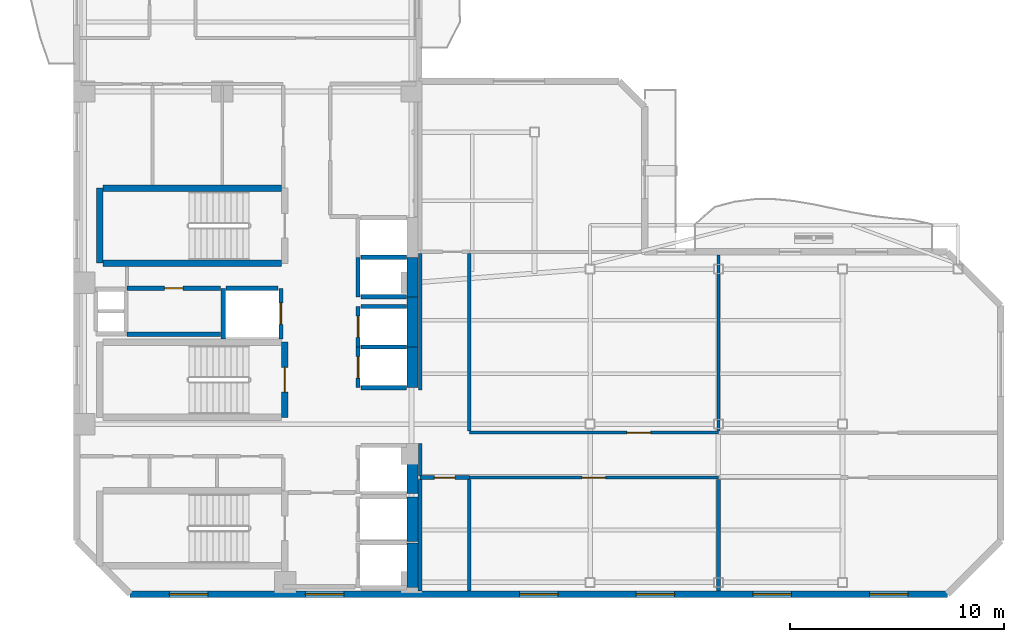
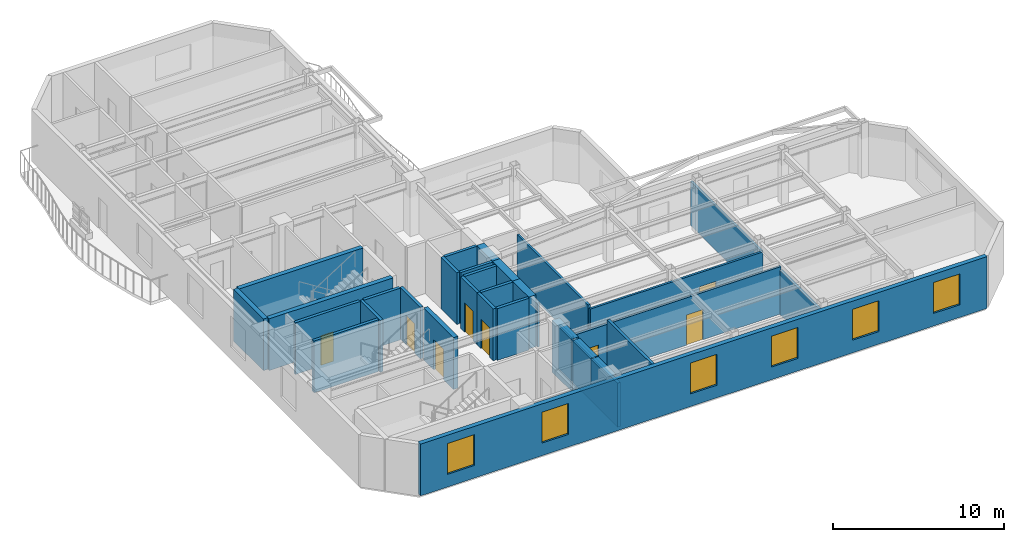
# One storey, part 3 of 8: 34 walls, 8 doors, 6 windows, 14 openings.
"""IFC4 building model written with IfcOpenShell, lengths in metres."""

from ifc_helpers import new_model, si_unit, direction, frame, frame_2d, origin, place, context, subcontext, project, spatial, rectangle, extrude, material, layer, layer_set, type_object, element, fill, save


model = new_model("IFC4")

# Units and contexts
model_context = context("Model", 3, precision=1e-05, world=origin(), true_north=direction((0.0, 1.0)))
body_context = subcontext(model_context, "Body", "Model", "MODEL_VIEW")
ifc_project = project(units=[si_unit("LENGTHUNIT", "METRE"), si_unit("AREAUNIT", "SQUARE_METRE"), si_unit("VOLUMEUNIT", "CUBIC_METRE"), si_unit("PLANEANGLEUNIT", "RADIAN"), si_unit("MASSUNIT", "GRAM", prefix="KILO")], contexts=[model_context])

# Site, building, storey
site_placement = place(None, origin())
site = spatial("IfcSite", under=ifc_project, at=site_placement, CompositionType="ELEMENT")
building_placement = place(site_placement, origin())
building = spatial("IfcBuilding", under=site, at=building_placement, Name="Mawjaban Terraces University", CompositionType="ELEMENT")
storey_placement = place(building_placement, frame((0.0, 0.0, 187.5)))
storey = spatial("IfcBuildingStorey", under=building, at=storey_placement, Name="L45", CompositionType="ELEMENT", Elevation=187.5)

# Wall, opening, door
ifc_material_1 = material(Name="Acoustic masonry blockwork", Category="masonry")
ifc_layer_1 = layer(ifc_material_1, 0.179931640625)
ifc_layer_set_1 = layer_set([ifc_layer_1], Name="Acoustic masonry blockwork")
wall_type_1 = type_object("IfcWallType", Name="AcousticStudioWall_180", PredefinedType="PARTITIONING", material=ifc_layer_set_1)
wall_1_placement = place(storey_placement, frame((38.050048828125, 5.449951171875, 0.0), z_axis=(0.0, 0.0, 1.0), x_axis=(1.0, 0.0, 0.0)))
wall_1 = element("IfcWall", 1, at=wall_1_placement, inside=storey, type_object=wall_type_1, Name="L45 South Spine Spur Link Partition 21", PredefinedType="PARTITIONING", context=body_context, shape_type="SweptSolid", body=[
    extrude(rectangle(XDim=2.300048828125, YDim=0.179931640625, at=frame_2d((1.14990234375, 0.0))), origin(), (0.0, 0.0, 1.0), 3.3720703125),
])
opening_1_placement = place(wall_1_placement, frame((0.675048828125, 0.0, 0.0)))
opening_1 = element("IfcOpeningElement", 2, at=opening_1_placement, cuts=wall_1, Name="Opening ID-095", PredefinedType="OPENING", context=body_context, shape_type="SweptSolid", body=[
    extrude(rectangle(XDim=0.949951171875, YDim=2.10009765625, at=frame_2d((0.47509765625, 1.050048828125))), frame((0.0, 0.099853515625, 0.0), z_axis=(0.0, -1.0, 0.0), x_axis=(1.0, 0.0, 0.0)), (0.0, 0.0, 1.0), 0.199951171875),
])
ifc_material_2 = material(Name="Powder-coated steel frame and solid acoustic timber leaf", Category="steel")
door_type_1 = type_object("IfcDoorType", Name="StudioDoor_950x2100", OperationType="NOTDEFINED", PredefinedType="DOOR", material=ifc_material_2)
door_1_placement = place(opening_1_placement, origin())
door_1 = element("IfcDoor", 3, at=door_1_placement, inside=storey, type_object=door_type_1, Name="L45 Design Studio 1 Door", OperationType="SINGLE_SWING_RIGHT", OverallHeight=2.10009765625, OverallWidth=0.949951171875, PredefinedType="DOOR", context=body_context, shape_type="SweptSolid", body=[
    extrude(rectangle(XDim=0.949951171875, YDim=2.10009765625, at=frame_2d((0.47509765625, 1.050048828125))), frame((0.0, 0.02490234375, 0.0), z_axis=(0.0, -1.0, 0.0), x_axis=(1.0, 0.0, 0.0)), (0.0, 0.0, 1.0), 0.050048828125),
])
fill(opening_1, door_1)

# Walls
wall_2_placement = place(storey_placement, frame((38.050048828125, 5.364990234375, 0.0), z_axis=(0.0, 0.0, 1.0), x_axis=(0.0, -1.0, 0.0)))
element("IfcWall", 4, at=wall_2_placement, inside=storey, type_object=wall_type_1, Name="L45 Design Studio 1 Partition 45", PredefinedType="PARTITIONING", context=body_context, shape_type="SweptSolid", body=[
    extrude(rectangle(XDim=5.219970703125, YDim=0.179931640625, at=frame_2d((2.60986328125, 0.0))), origin(), (0.0, 0.0, 1.0), 3.14599609375),
])
wall_3_placement = place(storey_placement, frame((40.35009765625, 0.14501953125, 0.0), z_axis=(0.0, 0.0, 1.0), x_axis=(0.0, 1.0, 0.0)))
element("IfcWall", 5, at=wall_3_placement, inside=storey, type_object=wall_type_1, Name="L45 Design Studio 1 Partition 49", PredefinedType="PARTITIONING", context=body_context, shape_type="SweptSolid", body=[
    extrude(rectangle(XDim=5.219970703125, YDim=0.179931640625, at=frame_2d((2.60986328125, 0.0))), origin(), (0.0, 0.0, 1.0), 3.68994140625),
])
wall_4_placement = place(storey_placement, frame((52.0, 0.14501953125, 0.0), z_axis=(0.0, 0.0, 1.0), x_axis=(0.0, 1.0, 0.0)))
element("IfcWall", 6, at=wall_4_placement, inside=storey, type_object=wall_type_1, Name="L45 Computational Laboratory 2 Partition 51", PredefinedType="PARTITIONING", context=body_context, shape_type="SweptSolid", body=[
    extrude(rectangle(XDim=5.219970703125, YDim=0.179931640625, at=frame_2d((2.60986328125, 0.0))), origin(), (0.0, 0.0, 1.0), 3.14599609375),
])
ifc_material_3 = material(Name="Concrete C60/75", Category="concrete")
ifc_layer_2 = layer(ifc_material_3, 0.5)
ifc_layer_set_2 = layer_set([ifc_layer_2], Name="Concrete C60/75")
wall_type_2 = type_object("IfcWallType", Name="CoreShearWall_500", PredefinedType="SHEAR", material=ifc_layer_set_2)
wall_5_placement = place(storey_placement, frame((37.699951171875, 0.300048828125, 0.0), z_axis=(0.0, 0.0, 1.0), x_axis=(0.0, 1.0, 0.0)))
element("IfcWall", 7, at=wall_5_placement, inside=storey, type_object=wall_type_2, Name="L45 Lift FL-1 Hoistway Wall East", PredefinedType="SHEAR", context=body_context, shape_type="SweptSolid", body=[
    extrude(rectangle(XDim=2.099853515625, YDim=0.5, at=frame_2d((1.0498046875, 0.0))), origin(), (0.0, 0.0, 1.0), 3.68994140625),
])
wall_6_placement = place(storey_placement, frame((37.699951171875, 2.449951171875, 0.0), z_axis=(0.0, 0.0, 1.0), x_axis=(0.0, 1.0, 0.0)))
element("IfcWall", 8, at=wall_6_placement, inside=storey, type_object=wall_type_2, Name="L45 Lift FL-2 Hoistway Wall East", PredefinedType="SHEAR", context=body_context, shape_type="SweptSolid", body=[
    extrude(rectangle(XDim=2.10009765625, YDim=0.5, at=frame_2d((1.050048828125, 0.0))), origin(), (0.0, 0.0, 1.0), 3.68994140625),
])
wall_7_placement = place(storey_placement, frame((37.699951171875, 4.699951171875, 0.0), z_axis=(0.0, 0.0, 1.0), x_axis=(0.0, 1.0, 0.0)))
element("IfcWall", 9, at=wall_7_placement, inside=storey, type_object=wall_type_2, Name="L45 Lift SL-1 Hoistway Wall East", PredefinedType="SHEAR", context=body_context, shape_type="SweptSolid", body=[
    extrude(rectangle(XDim=2.25, YDim=0.5, at=frame_2d((1.125, 0.0))), origin(), (0.0, 0.0, 1.0), 3.68994140625),
])
wall_8_placement = place(storey_placement, frame((37.699951171875, 9.64990234375, 0.0), z_axis=(0.0, 0.0, 1.0), x_axis=(0.0, 1.0, 0.0)))
element("IfcWall", 10, at=wall_8_placement, inside=storey, type_object=wall_type_2, Name="L45 Lift PL-H1 Hoistway Wall East", PredefinedType="SHEAR", context=body_context, shape_type="SweptSolid", body=[
    extrude(rectangle(XDim=1.900146484375, YDim=0.5, at=frame_2d((0.9501953125, 0.0))), origin(), (0.0, 0.0, 1.0), 3.68994140625),
])
wall_9_placement = place(storey_placement, frame((37.699951171875, 11.550048828125, 0.0), z_axis=(0.0, 0.0, 1.0), x_axis=(0.0, 1.0, 0.0)))
element("IfcWall", 11, at=wall_9_placement, inside=storey, type_object=wall_type_2, Name="L45 Lift PL-H2 Hoistway Wall East", PredefinedType="SHEAR", context=body_context, shape_type="SweptSolid", body=[
    extrude(rectangle(XDim=2.349853515625, YDim=0.5, at=frame_2d((1.1748046875, 0.0))), origin(), (0.0, 0.0, 1.0), 3.68994140625),
])
wall_10_placement = place(storey_placement, frame((37.699951171875, 13.89990234375, 0.0), z_axis=(0.0, 0.0, 1.0), x_axis=(0.0, 1.0, 0.0)))
element("IfcWall", 12, at=wall_10_placement, inside=storey, type_object=wall_type_2, Name="L45 Lift OL-1 Hoistway Wall East", PredefinedType="SHEAR", context=body_context, shape_type="SweptSolid", body=[
    extrude(rectangle(XDim=1.85009765625, YDim=0.5, at=frame_2d((0.925048828125, 0.0))), origin(), (0.0, 0.0, 1.0), 3.68994140625),
])
ifc_material_4 = material(Name="Fire-rated gypsum board on steel stud", Category="steel")
ifc_layer_3 = layer(ifc_material_4, 0.159912109375)
ifc_layer_set_3 = layer_set([ifc_layer_3], Name="Fire-rated gypsum board on steel stud")
wall_type_3 = type_object("IfcWallType", Name="CorridorPartition_160", PredefinedType="PARTITIONING", material=ifc_layer_set_3)
wall_11_placement = place(storey_placement, frame((38.050048828125, 7.050048828125, 0.0), z_axis=(0.0, 0.0, 1.0), x_axis=(0.0, -1.0, 0.0)))
element("IfcWall", 13, at=wall_11_placement, inside=storey, type_object=wall_type_3, Name="L45 South Spine Spur Link Partition 46", PredefinedType="PARTITIONING", context=body_context, shape_type="SweptSolid", body=[
    extrude(rectangle(XDim=1.51513671875, YDim=0.159912109375, at=frame_2d((0.757568359375, 0.0))), origin(), (0.0, 0.0, 1.0), 3.14599609375),
])
wall_12_placement = place(storey_placement, frame((38.050048828125, 15.925048828125, 0.0), z_axis=(0.0, 0.0, 1.0), x_axis=(0.0, -1.0, 0.0)))
element("IfcWall", 14, at=wall_12_placement, inside=storey, type_object=wall_type_3, Name="L45 South Spine Spur Link Partition 47", PredefinedType="PARTITIONING", context=body_context, shape_type="SweptSolid", body=[
    extrude(rectangle(XDim=6.375, YDim=0.159912109375, at=frame_2d((3.1875, 0.0))), origin(), (0.0, 0.0, 1.0), 3.14599609375),
])

# Wall, openings, windows
ifc_material_5 = material(Name="Insulated terracotta rainscreen on concrete backup C40/50", Category="masonry")
ifc_layer_4 = layer(ifc_material_5, 0.300048828125)
ifc_layer_set_4 = layer_set([ifc_layer_4], Name="Insulated terracotta rainscreen on concrete backup C40/50")
wall_type_4 = type_object("IfcWallType", Name="ExtTerracottaWall_300", PredefinedType="SOLIDWALL", material=ifc_layer_set_4)
wall_13_placement = place(storey_placement, frame((24.5, 0.0, 0.0), z_axis=(0.0, 0.0, 1.0), x_axis=(1.0, 0.0, 0.0)))
wall_13 = element("IfcWall", 15, at=wall_13_placement, inside=storey, type_object=wall_type_4, Name="L45 Exterior Terracotta Wall 1", PredefinedType="SOLIDWALL", context=body_context, shape_type="SweptSolid", body=[
    extrude(rectangle(XDim=38.199951171875, YDim=0.300048828125, at=frame_2d((19.10009765625, 0.0))), origin(), (0.0, 0.0, 1.0), 3.68994140625),
])
opening_2_placement = place(wall_13_placement, frame((1.8291015625, 0.0, 0.89990234375)))
opening_2 = element("IfcOpeningElement", 16, at=opening_2_placement, cuts=wall_13, Name="Opening W-10", PredefinedType="OPENING", context=body_context, shape_type="SweptSolid", body=[
    extrude(rectangle(XDim=1.800048828125, YDim=2.199951171875, at=frame_2d((0.89990234375, 1.10009765625))), frame((0.0, 0.159912109375, 0.0), z_axis=(0.0, -1.0, 0.0), x_axis=(1.0, 0.0, 0.0)), (0.0, 0.0, 1.0), 0.320068359375),
])
opening_3_placement = place(wall_13_placement, frame((8.18603515625, 0.0, 0.89990234375)))
opening_3 = element("IfcOpeningElement", 17, at=opening_3_placement, cuts=wall_13, Name="Opening W-10", PredefinedType="OPENING", context=body_context, shape_type="SweptSolid", body=[
    extrude(rectangle(XDim=1.800048828125, YDim=2.199951171875, at=frame_2d((0.89990234375, 1.10009765625))), frame((0.0, 0.159912109375, 0.0), z_axis=(0.0, -1.0, 0.0), x_axis=(1.0, 0.0, 0.0)), (0.0, 0.0, 1.0), 0.320068359375),
])
opening_4_placement = place(wall_13_placement, frame((18.199951171875, 0.0, 0.89990234375)))
opening_4 = element("IfcOpeningElement", 18, at=opening_4_placement, cuts=wall_13, Name="Opening W-10", PredefinedType="OPENING", context=body_context, shape_type="SweptSolid", body=[
    extrude(rectangle(XDim=1.800048828125, YDim=2.199951171875, at=frame_2d((0.89990234375, 1.10009765625))), frame((0.0, 0.159912109375, 0.0), z_axis=(0.0, -1.0, 0.0), x_axis=(1.0, 0.0, 0.0)), (0.0, 0.0, 1.0), 0.320068359375),
])
opening_5_placement = place(wall_13_placement, frame((23.656982421875, 0.0, 0.89990234375)))
opening_5 = element("IfcOpeningElement", 19, at=opening_5_placement, cuts=wall_13, Name="Opening W-10", PredefinedType="OPENING", context=body_context, shape_type="SweptSolid", body=[
    extrude(rectangle(XDim=1.800048828125, YDim=2.199951171875, at=frame_2d((0.89990234375, 1.10009765625))), frame((0.0, 0.159912109375, 0.0), z_axis=(0.0, -1.0, 0.0), x_axis=(1.0, 0.0, 0.0)), (0.0, 0.0, 1.0), 0.320068359375),
])
opening_6_placement = place(wall_13_placement, frame((29.114013671875, 0.0, 0.89990234375)))
opening_6 = element("IfcOpeningElement", 20, at=opening_6_placement, cuts=wall_13, Name="Opening W-10", PredefinedType="OPENING", context=body_context, shape_type="SweptSolid", body=[
    extrude(rectangle(XDim=1.800048828125, YDim=2.199951171875, at=frame_2d((0.89990234375, 1.10009765625))), frame((0.0, 0.159912109375, 0.0), z_axis=(0.0, -1.0, 0.0), x_axis=(1.0, 0.0, 0.0)), (0.0, 0.0, 1.0), 0.320068359375),
])
opening_7_placement = place(wall_13_placement, frame((34.571044921875, 0.0, 0.89990234375)))
opening_7 = element("IfcOpeningElement", 21, at=opening_7_placement, cuts=wall_13, Name="Opening W-10", PredefinedType="OPENING", context=body_context, shape_type="SweptSolid", body=[
    extrude(rectangle(XDim=1.800048828125, YDim=2.199951171875, at=frame_2d((0.89990234375, 1.10009765625))), frame((0.0, 0.159912109375, 0.0), z_axis=(0.0, -1.0, 0.0), x_axis=(1.0, 0.0, 0.0)), (0.0, 0.0, 1.0), 0.320068359375),
])
ifc_material_6 = material(Name="Low-E solar-control double glazing in thermally broken aluminium frame", Category="aluminium")
window_type = type_object("IfcWindowType", Name="Win_1800x2200", PartitioningType="SINGLE_PANEL", PredefinedType="WINDOW", material=ifc_material_6)
window_1_placement = place(opening_2_placement, origin())
window_1 = element("IfcWindow", 22, at=window_1_placement, inside=storey, type_object=window_type, Name="L45 Facade Window 1.1", OverallHeight=2.199951171875, OverallWidth=1.800048828125, PartitioningType="SINGLE_PANEL", PredefinedType="WINDOW", context=body_context, shape_type="SweptSolid", body=[
    extrude(rectangle(XDim=1.800048828125, YDim=2.199951171875, at=frame_2d((0.89990234375, 1.10009765625))), frame((0.0, 0.030029296875, 0.0), z_axis=(0.0, -1.0, 0.0), x_axis=(1.0, 0.0, 0.0)), (0.0, 0.0, 1.0), 0.06005859375),
])
fill(opening_2, window_1)
window_2_placement = place(opening_3_placement, origin())
window_2 = element("IfcWindow", 23, at=window_2_placement, inside=storey, type_object=window_type, Name="L45 Facade Window 1.2", OverallHeight=2.199951171875, OverallWidth=1.800048828125, PartitioningType="SINGLE_PANEL", PredefinedType="WINDOW", context=body_context, shape_type="SweptSolid", body=[
    extrude(rectangle(XDim=1.800048828125, YDim=2.199951171875, at=frame_2d((0.89990234375, 1.10009765625))), frame((0.0, 0.030029296875, 0.0), z_axis=(0.0, -1.0, 0.0), x_axis=(1.0, 0.0, 0.0)), (0.0, 0.0, 1.0), 0.06005859375),
])
fill(opening_3, window_2)
window_3_placement = place(opening_4_placement, origin())
window_3 = element("IfcWindow", 24, at=window_3_placement, inside=storey, type_object=window_type, Name="L45 Facade Window 1.4", OverallHeight=2.199951171875, OverallWidth=1.800048828125, PartitioningType="SINGLE_PANEL", PredefinedType="WINDOW", context=body_context, shape_type="SweptSolid", body=[
    extrude(rectangle(XDim=1.800048828125, YDim=2.199951171875, at=frame_2d((0.89990234375, 1.10009765625))), frame((0.0, 0.030029296875, 0.0), z_axis=(0.0, -1.0, 0.0), x_axis=(1.0, 0.0, 0.0)), (0.0, 0.0, 1.0), 0.06005859375),
])
fill(opening_4, window_3)
window_4_placement = place(opening_5_placement, origin())
window_4 = element("IfcWindow", 25, at=window_4_placement, inside=storey, type_object=window_type, Name="L45 Facade Window 1.5", OverallHeight=2.199951171875, OverallWidth=1.800048828125, PartitioningType="SINGLE_PANEL", PredefinedType="WINDOW", context=body_context, shape_type="SweptSolid", body=[
    extrude(rectangle(XDim=1.800048828125, YDim=2.199951171875, at=frame_2d((0.89990234375, 1.10009765625))), frame((0.0, 0.030029296875, 0.0), z_axis=(0.0, -1.0, 0.0), x_axis=(1.0, 0.0, 0.0)), (0.0, 0.0, 1.0), 0.06005859375),
])
fill(opening_5, window_4)
window_5_placement = place(opening_6_placement, origin())
window_5 = element("IfcWindow", 26, at=window_5_placement, inside=storey, type_object=window_type, Name="L45 Facade Window 1.6", OverallHeight=2.199951171875, OverallWidth=1.800048828125, PartitioningType="SINGLE_PANEL", PredefinedType="WINDOW", context=body_context, shape_type="SweptSolid", body=[
    extrude(rectangle(XDim=1.800048828125, YDim=2.199951171875, at=frame_2d((0.89990234375, 1.10009765625))), frame((0.0, 0.030029296875, 0.0), z_axis=(0.0, -1.0, 0.0), x_axis=(1.0, 0.0, 0.0)), (0.0, 0.0, 1.0), 0.06005859375),
])
fill(opening_6, window_5)
window_6_placement = place(opening_7_placement, origin())
window_6 = element("IfcWindow", 27, at=window_6_placement, inside=storey, type_object=window_type, Name="L45 Facade Window 1.7", OverallHeight=2.199951171875, OverallWidth=1.800048828125, PartitioningType="SINGLE_PANEL", PredefinedType="WINDOW", context=body_context, shape_type="SweptSolid", body=[
    extrude(rectangle(XDim=1.800048828125, YDim=2.199951171875, at=frame_2d((0.89990234375, 1.10009765625))), frame((0.0, 0.030029296875, 0.0), z_axis=(0.0, -1.0, 0.0), x_axis=(1.0, 0.0, 0.0)), (0.0, 0.0, 1.0), 0.06005859375),
])
fill(opening_7, window_6)

# Wall, opening, door
ifc_material_7 = material(Name="Concrete C40/50", Category="concrete")
ifc_layer_5 = layer(ifc_material_7, 0.199951171875)
ifc_layer_set_5 = layer_set([ifc_layer_5], Name="Concrete C40/50")
wall_type_5 = type_object("IfcWallType", Name="FireLobbyWall_200", PredefinedType="SOLIDWALL", material=ifc_layer_set_5)
wall_14_placement = place(storey_placement, frame((35.14990234375, 11.550048828125, 0.0), z_axis=(0.0, 0.0, 1.0), x_axis=(0.0, -1.0, 0.0)))
wall_14 = element("IfcWall", 28, at=wall_14_placement, inside=storey, type_object=wall_type_5, Name="L45 Lift PL-H1 Hoistway Wall West", PredefinedType="SOLIDWALL", context=body_context, shape_type="SweptSolid", body=[
    extrude(rectangle(XDim=1.900146484375, YDim=0.199951171875, at=frame_2d((0.9501953125, 0.0))), origin(), (0.0, 0.0, 1.0), 3.68994140625),
])
opening_8_placement = place(wall_14_placement, frame((0.449951171875, 0.0, 0.0)))
opening_8 = element("IfcOpeningElement", 29, at=opening_8_placement, cuts=wall_14, Name="Opening LD-PL-H1", PredefinedType="OPENING", context=body_context, shape_type="SweptSolid", body=[
    extrude(rectangle(XDim=1.0, YDim=2.10009765625, at=frame_2d((0.5, 1.050048828125))), frame((0.0, 0.10986328125, 0.0), z_axis=(0.0, -1.0, 0.0), x_axis=(1.0, 0.0, 0.0)), (0.0, 0.0, 1.0), 0.219970703125),
])
ifc_material_8 = material(Name="Powder-coated steel frame and fire-rated steel-faced leaf", Category="steel")
door_type_2 = type_object("IfcDoorType", Name="LiftLandingSliding_1000x2100", OperationType="NOTDEFINED", PredefinedType="DOOR", material=ifc_material_8)
door_2_placement = place(opening_8_placement, origin())
door_2 = element("IfcDoor", 30, at=door_2_placement, inside=storey, type_object=door_type_2, Name="L45 Lift PL-H1 Sliding Landing Door", OperationType="DOUBLE_DOOR_SLIDING", OverallHeight=2.10009765625, OverallWidth=1.0, PredefinedType="DOOR", context=body_context, shape_type="SweptSolid", body=[
    extrude(rectangle(XDim=1.0, YDim=2.10009765625, at=frame_2d((0.5, 1.050048828125))), frame((0.0, 0.02490234375, 0.0), z_axis=(0.0, -1.0, 0.0), x_axis=(1.0, 0.0, 0.0)), (0.0, 0.0, 1.0), 0.050048828125),
])
fill(opening_8, door_2)

# Walls
for number, where, z_axis, x_axis, name in (
    (31, (35.280029296875, 9.64990234375, 0.0), (0.0, 0.0, 1.0), (1.0, 0.0, 0.0), "L45 Lift PL-H1 Hoistway Wall South"),
    (32, (37.419921875, 11.550048828125, 0.0), (0.0, 0.0, 1.0), (-1.0, 0.0, 0.0), "L45 Lift PL-H1 Hoistway Wall North"),
):
    element("IfcWall", number, at=place(storey_placement, frame(where, z_axis=z_axis, x_axis=x_axis)), inside=storey, type_object=wall_type_5, Name=name, PredefinedType="SOLIDWALL", context=body_context, shape_type="SweptSolid", body=[
        extrude(rectangle(XDim=2.139892578125, YDim=0.199951171875, at=frame_2d((1.06982421875, 0.0))), origin(), (0.0, 0.0, 1.0), 3.68994140625),
    ])

# Wall, opening, door
wall_15_placement = place(storey_placement, frame((35.14990234375, 13.449951171875, 0.0), z_axis=(0.0, 0.0, 1.0), x_axis=(0.0, -1.0, 0.0)))
wall_15 = element("IfcWall", 33, at=wall_15_placement, inside=storey, type_object=wall_type_5, Name="L45 Lift PL-H2 Hoistway Wall West", PredefinedType="SOLIDWALL", context=body_context, shape_type="SweptSolid", body=[
    extrude(rectangle(XDim=1.89990234375, YDim=0.199951171875, at=frame_2d((0.949951171875, 0.0))), origin(), (0.0, 0.0, 1.0), 3.68994140625),
])
opening_9_placement = place(wall_15_placement, frame((0.449951171875, 0.0, 0.0)))
opening_9 = element("IfcOpeningElement", 34, at=opening_9_placement, cuts=wall_15, Name="Opening LD-PL-H2", PredefinedType="OPENING", context=body_context, shape_type="SweptSolid", body=[
    extrude(rectangle(XDim=1.0, YDim=2.10009765625, at=frame_2d((0.5, 1.050048828125))), frame((0.0, 0.10986328125, 0.0), z_axis=(0.0, -1.0, 0.0), x_axis=(1.0, 0.0, 0.0)), (0.0, 0.0, 1.0), 0.219970703125),
])
door_3_placement = place(opening_9_placement, origin())
door_3 = element("IfcDoor", 35, at=door_3_placement, inside=storey, type_object=door_type_2, Name="L45 Lift PL-H2 Sliding Landing Door", OperationType="DOUBLE_DOOR_SLIDING", OverallHeight=2.10009765625, OverallWidth=1.0, PredefinedType="DOOR", context=body_context, shape_type="SweptSolid", body=[
    extrude(rectangle(XDim=1.0, YDim=2.10009765625, at=frame_2d((0.5, 1.050048828125))), frame((0.0, 0.02490234375, 0.0), z_axis=(0.0, -1.0, 0.0), x_axis=(1.0, 0.0, 0.0)), (0.0, 0.0, 1.0), 0.050048828125),
])
fill(opening_9, door_3)

# Walls
wall_16_placement = place(storey_placement, frame((37.419921875, 13.449951171875, 0.0), z_axis=(0.0, 0.0, 1.0), x_axis=(-1.0, 0.0, 0.0)))
element("IfcWall", 36, at=wall_16_placement, inside=storey, type_object=wall_type_5, Name="L45 Lift PL-H2 Hoistway Wall North", PredefinedType="SOLIDWALL", context=body_context, shape_type="SweptSolid", body=[
    extrude(rectangle(XDim=2.139892578125, YDim=0.199951171875, at=frame_2d((1.06982421875, 0.0))), origin(), (0.0, 0.0, 1.0), 3.68994140625),
])
wall_17_placement = place(storey_placement, frame((28.85009765625, 14.300048828125, 0.0), z_axis=(0.0, 0.0, 1.0), x_axis=(0.0, -1.0, 0.0)))
element("IfcWall", 37, at=wall_17_placement, inside=storey, type_object=wall_type_5, Name="L45 Lift PL-H3 Hoistway Wall West", PredefinedType="SOLIDWALL", context=body_context, shape_type="SweptSolid", body=[
    extrude(rectangle(XDim=2.3701171875, YDim=0.199951171875, at=frame_2d((1.18505859375, 0.0))), origin(), (0.0, 0.0, 1.0), 3.68994140625),
])

# Wall, opening, door
wall_18_placement = place(storey_placement, frame((31.550048828125, 11.929931640625, 0.0), z_axis=(0.0, 0.0, 1.0), x_axis=(0.0, 1.0, 0.0)))
wall_18 = element("IfcWall", 38, at=wall_18_placement, inside=storey, type_object=wall_type_5, Name="L45 Lift PL-H3 Hoistway Wall East", PredefinedType="SOLIDWALL", context=body_context, shape_type="SweptSolid", body=[
    extrude(rectangle(XDim=2.3701171875, YDim=0.199951171875, at=frame_2d((1.18505859375, 0.0))), origin(), (0.0, 0.0, 1.0), 3.68994140625),
])
opening_10_placement = place(wall_18_placement, frame((0.68505859375, 0.0, 0.0)))
opening_10 = element("IfcOpeningElement", 39, at=opening_10_placement, cuts=wall_18, Name="Opening LD-PL-H3", PredefinedType="OPENING", context=body_context, shape_type="SweptSolid", body=[
    extrude(rectangle(XDim=1.0, YDim=2.10009765625, at=frame_2d((0.5, 1.050048828125))), frame((0.0, 0.10986328125, 0.0), z_axis=(0.0, -1.0, 0.0), x_axis=(1.0, 0.0, 0.0)), (0.0, 0.0, 1.0), 0.219970703125),
])
door_4_placement = place(opening_10_placement, origin())
door_4 = element("IfcDoor", 40, at=door_4_placement, inside=storey, type_object=door_type_2, Name="L45 Lift PL-H3 Sliding Landing Door", OperationType="DOUBLE_DOOR_SLIDING", OverallHeight=2.10009765625, OverallWidth=1.0, PredefinedType="DOOR", context=body_context, shape_type="SweptSolid", body=[
    extrude(rectangle(XDim=1.0, YDim=2.10009765625, at=frame_2d((0.5, 1.050048828125))), frame((0.0, 0.02490234375, 0.0), z_axis=(0.0, -1.0, 0.0), x_axis=(1.0, 0.0, 0.0)), (0.0, 0.0, 1.0), 0.050048828125),
])
fill(opening_10, door_4)

# Walls
wall_19_placement = place(storey_placement, frame((31.419921875, 14.300048828125, 0.0), z_axis=(0.0, 0.0, 1.0), x_axis=(-1.0, 0.0, 0.0)))
element("IfcWall", 41, at=wall_19_placement, inside=storey, type_object=wall_type_5, Name="L45 Lift PL-H3 Hoistway Wall North", PredefinedType="SOLIDWALL", context=body_context, shape_type="SweptSolid", body=[
    extrude(rectangle(XDim=2.43994140625, YDim=0.199951171875, at=frame_2d((1.219970703125, 0.0))), origin(), (0.0, 0.0, 1.0), 3.68994140625),
])
wall_20_placement = place(storey_placement, frame((35.14990234375, 15.75, 0.0), z_axis=(0.0, 0.0, 1.0), x_axis=(0.0, -1.0, 0.0)))
element("IfcWall", 42, at=wall_20_placement, inside=storey, type_object=wall_type_5, Name="L45 Lift OL-1 Hoistway Wall West", PredefinedType="SOLIDWALL", context=body_context, shape_type="SweptSolid", body=[
    extrude(rectangle(XDim=1.85009765625, YDim=0.199951171875, at=frame_2d((0.925048828125, 0.0))), origin(), (0.0, 0.0, 1.0), 3.68994140625),
])
for number, where, z_axis, x_axis, name in (
    (43, (35.280029296875, 13.89990234375, 0.0), (0.0, 0.0, 1.0), (1.0, 0.0, 0.0), "L45 Lift OL-1 Hoistway Wall South"),
    (44, (37.419921875, 15.75, 0.0), (0.0, 0.0, 1.0), (-1.0, 0.0, 0.0), "L45 Lift OL-1 Hoistway Wall North"),
):
    element("IfcWall", number, at=place(storey_placement, frame(where, z_axis=z_axis, x_axis=x_axis)), inside=storey, type_object=wall_type_5, Name=name, PredefinedType="SOLIDWALL", context=body_context, shape_type="SweptSolid", body=[
        extrude(rectangle(XDim=2.139892578125, YDim=0.199951171875, at=frame_2d((1.06982421875, 0.0))), origin(), (0.0, 0.0, 1.0), 3.68994140625),
    ])
wall_21_placement = place(storey_placement, frame((24.35009765625, 12.14990234375, 0.0), z_axis=(0.0, 0.0, 1.0), x_axis=(1.0, 0.0, 0.0)))
element("IfcWall", 45, at=wall_21_placement, inside=storey, type_object=wall_type_5, Name="L45 IT and Telecoms Riser Room Partition 2", PredefinedType="SOLIDWALL", context=body_context, shape_type="SweptSolid", body=[
    extrude(rectangle(XDim=4.369873046875, YDim=0.199951171875, at=frame_2d((2.18505859375, 0.0))), origin(), (0.0, 0.0, 1.0), 3.68994140625),
])

# Wall, opening, door
wall_22_placement = place(storey_placement, frame((24.35009765625, 14.300048828125, 0.0), z_axis=(0.0, 0.0, 1.0), x_axis=(1.0, 0.0, 0.0)))
wall_22 = element("IfcWall", 46, at=wall_22_placement, inside=storey, type_object=wall_type_5, Name="L45 Core Riser Access Passage Partition 3", PredefinedType="SOLIDWALL", context=body_context, shape_type="SweptSolid", body=[
    extrude(rectangle(XDim=4.369873046875, YDim=0.199951171875, at=frame_2d((2.18505859375, 0.0))), origin(), (0.0, 0.0, 1.0), 3.68994140625),
])
opening_11_placement = place(wall_22_placement, frame((1.760009765625, 0.0, 0.0)))
opening_11 = element("IfcOpeningElement", 47, at=opening_11_placement, cuts=wall_22, Name="Opening FD-085", PredefinedType="OPENING", context=body_context, shape_type="SweptSolid", body=[
    extrude(rectangle(XDim=0.85009765625, YDim=2.10009765625, at=frame_2d((0.425048828125, 1.050048828125))), frame((0.0, 0.10986328125, 0.0), z_axis=(0.0, -1.0, 0.0), x_axis=(1.0, 0.0, 0.0)), (0.0, 0.0, 1.0), 0.219970703125),
])
door_type_3 = type_object("IfcDoorType", Name="FireRiserDoor_850x2100", OperationType="NOTDEFINED", PredefinedType="DOOR", material=ifc_material_8)
door_5_placement = place(opening_11_placement, origin())
door_5 = element("IfcDoor", 48, at=door_5_placement, inside=storey, type_object=door_type_3, Name="L45 IT and Telecoms Riser Room Door", OperationType="SINGLE_SWING_LEFT", OverallHeight=2.10009765625, OverallWidth=0.85009765625, PredefinedType="DOOR", context=body_context, shape_type="SweptSolid", body=[
    extrude(rectangle(XDim=0.85009765625, YDim=2.10009765625, at=frame_2d((0.425048828125, 1.050048828125))), frame((0.0, 0.02490234375, 0.0), z_axis=(0.0, -1.0, 0.0), x_axis=(1.0, 0.0, 0.0)), (0.0, 0.0, 1.0), 0.050048828125),
])
fill(opening_11, door_5)

ifc_material_9 = material(Name="Moisture-resistant gypsum board on steel stud", Category="steel")
ifc_layer_6 = layer(ifc_material_9, 0.14501953125)
ifc_layer_set_6 = layer_set([ifc_layer_6], Name="Moisture-resistant gypsum board on steel stud")
wall_type_6 = type_object("IfcWallType", Name="LabPartition_145", PredefinedType="PARTITIONING", material=ifc_layer_set_6)
wall_23_placement = place(storey_placement, frame((40.35009765625, 5.449951171875, 0.0), z_axis=(0.0, 0.0, 1.0), x_axis=(1.0, 0.0, 0.0)))
wall_23 = element("IfcWall", 49, at=wall_23_placement, inside=storey, type_object=wall_type_6, Name="L45 South Shifted Academic Corridor Partition 22", PredefinedType="PARTITIONING", context=body_context, shape_type="SweptSolid", body=[
    extrude(rectangle(XDim=11.64990234375, YDim=0.14501953125, at=frame_2d((5.824951171875, 0.0))), origin(), (0.0, 0.0, 1.0), 3.3720703125),
])
opening_12_placement = place(wall_23_placement, frame((5.27490234375, 0.0, 0.0)))
opening_12 = element("IfcOpeningElement", 50, at=opening_12_placement, cuts=wall_23, Name="Opening ID-110", PredefinedType="OPENING", context=body_context, shape_type="SweptSolid", body=[
    extrude(rectangle(XDim=1.10009765625, YDim=2.14990234375, at=frame_2d((0.550048828125, 1.074951171875))), frame((0.0, 0.08251953125, 0.0), z_axis=(0.0, -1.0, 0.0), x_axis=(1.0, 0.0, 0.0)), (0.0, 0.0, 1.0), 0.1650390625),
])
door_type_4 = type_object("IfcDoorType", Name="LabDoor_1100x2150", OperationType="NOTDEFINED", PredefinedType="DOOR", material=ifc_material_2)
door_6_placement = place(opening_12_placement, origin())
door_6 = element("IfcDoor", 51, at=door_6_placement, inside=storey, type_object=door_type_4, Name="L45 Computational Laboratory 2 Door", OperationType="SINGLE_SWING_LEFT", OverallHeight=2.14990234375, OverallWidth=1.10009765625, PredefinedType="DOOR", context=body_context, shape_type="SweptSolid", body=[
    extrude(rectangle(XDim=1.10009765625, YDim=2.14990234375, at=frame_2d((0.550048828125, 1.074951171875))), frame((0.0, 0.02490234375, 0.0), z_axis=(0.0, -1.0, 0.0), x_axis=(1.0, 0.0, 0.0)), (0.0, 0.0, 1.0), 0.050048828125),
])
fill(opening_12, door_6)

wall_24_placement = place(storey_placement, frame((52.0, 7.550048828125, 0.0), z_axis=(0.0, 0.0, 1.0), x_axis=(-1.0, 0.0, 0.0)))
wall_24 = element("IfcWall", 52, at=wall_24_placement, inside=storey, type_object=wall_type_6, Name="L45 South Shifted Academic Corridor Partition 26", PredefinedType="PARTITIONING", context=body_context, shape_type="SweptSolid", body=[
    extrude(rectangle(XDim=11.64990234375, YDim=0.14501953125, at=frame_2d((5.824951171875, 0.0))), origin(), (0.0, 0.0, 1.0), 3.14599609375),
])
opening_13_placement = place(wall_24_placement, frame((3.175048828125, 0.0, 0.0)))
opening_13 = element("IfcOpeningElement", 53, at=opening_13_placement, cuts=wall_24, Name="Opening ID-110", PredefinedType="OPENING", context=body_context, shape_type="SweptSolid", body=[
    extrude(rectangle(XDim=1.10009765625, YDim=2.14990234375, at=frame_2d((0.550048828125, 1.074951171875))), frame((0.0, 0.08251953125, 0.0), z_axis=(0.0, -1.0, 0.0), x_axis=(1.0, 0.0, 0.0)), (0.0, 0.0, 1.0), 0.1650390625),
])
door_7_placement = place(opening_13_placement, origin())
door_7 = element("IfcDoor", 54, at=door_7_placement, inside=storey, type_object=door_type_4, Name="L45 Teaching Laboratory 3 Door", OperationType="SINGLE_SWING_RIGHT", OverallHeight=2.14990234375, OverallWidth=1.10009765625, PredefinedType="DOOR", context=body_context, shape_type="SweptSolid", body=[
    extrude(rectangle(XDim=1.10009765625, YDim=2.14990234375, at=frame_2d((0.550048828125, 1.074951171875))), frame((0.0, 0.02490234375, 0.0), z_axis=(0.0, -1.0, 0.0), x_axis=(1.0, 0.0, 0.0)), (0.0, 0.0, 1.0), 0.050048828125),
])
fill(opening_13, door_7)

# Walls
wall_25_placement = place(storey_placement, frame((40.35009765625, 7.616943359375, 0.0), z_axis=(0.0, 0.0, 1.0), x_axis=(0.0, 1.0, 0.0)))
element("IfcWall", 55, at=wall_25_placement, inside=storey, type_object=wall_type_6, Name="L45 South Spine Spur Link Partition 50", PredefinedType="PARTITIONING", context=body_context, shape_type="SweptSolid", body=[
    extrude(rectangle(XDim=8.30810546875, YDim=0.14501953125, at=frame_2d((4.154052734375, 0.0))), origin(), (0.0, 0.0, 1.0), 3.3720703125),
])
wall_26_placement = place(storey_placement, frame((52.0, 7.625, 0.0), z_axis=(0.0, 0.0, 1.0), x_axis=(0.0, 1.0, 0.0)))
element("IfcWall", 56, at=wall_26_placement, inside=storey, type_object=wall_type_6, Name="L45 Teaching Laboratory 3 Partition 52", PredefinedType="PARTITIONING", context=body_context, shape_type="SweptSolid", body=[
    extrude(rectangle(XDim=8.22998046875, YDim=0.14501953125, at=frame_2d((4.114990234375, 0.0))), origin(), (0.0, 0.0, 1.0), 3.14599609375),
])
ifc_layer_7 = layer(ifc_material_3, 0.300048828125)
ifc_layer_set_7 = layer_set([ifc_layer_7], Name="Concrete C60/75")
wall_type_7 = type_object("IfcWallType", Name="StairShaftWall_300", PredefinedType="SHEAR", material=ifc_layer_set_7)
wall_27_placement = place(storey_placement, frame((31.580078125, 18.97998046875, 0.0), z_axis=(0.0, 0.0, 1.0), x_axis=(-1.0, 0.0, 0.0)))
element("IfcWall", 57, at=wall_27_placement, inside=storey, type_object=wall_type_7, Name="L45 ST-2 Stair Shaft Wall 1", PredefinedType="SHEAR", context=body_context, shape_type="SweptSolid", body=[
    extrude(rectangle(XDim=8.360107421875, YDim=0.300048828125, at=frame_2d((4.18017578125, 0.0))), origin(), (0.0, 0.0, 1.0), 3.68994140625),
])
wall_28_placement = place(storey_placement, frame((23.070068359375, 18.97998046875, 0.0), z_axis=(0.0, 0.0, 1.0), x_axis=(0.0, -1.0, 0.0)))
element("IfcWall", 58, at=wall_28_placement, inside=storey, type_object=wall_type_7, Name="L45 ST-2 Stair Shaft Wall 2", PredefinedType="SHEAR", context=body_context, shape_type="SweptSolid", body=[
    extrude(rectangle(XDim=3.510009765625, YDim=0.300048828125, at=frame_2d((1.7548828125, 0.0))), origin(), (0.0, 0.0, 1.0), 3.68994140625),
])
wall_29_placement = place(storey_placement, frame((23.219970703125, 15.469970703125, 0.0), z_axis=(0.0, 0.0, 1.0), x_axis=(1.0, 0.0, 0.0)))
element("IfcWall", 59, at=wall_29_placement, inside=storey, type_object=wall_type_7, Name="L45 ST-2 Stair Shaft Wall 3", PredefinedType="SHEAR", context=body_context, shape_type="SweptSolid", body=[
    extrude(rectangle(XDim=8.360107421875, YDim=0.300048828125, at=frame_2d((4.18017578125, 0.0))), origin(), (0.0, 0.0, 1.0), 3.68994140625),
])

# Wall, opening, door
wall_30_placement = place(storey_placement, frame((31.72998046875, 8.27001953125, 0.0), z_axis=(0.0, 0.0, 1.0), x_axis=(0.0, 1.0, 0.0)))
wall_30 = element("IfcWall", 60, at=wall_30_placement, inside=storey, type_object=wall_type_7, Name="L45 ST-3 Stair Shaft Wall 4", PredefinedType="SHEAR", context=body_context, shape_type="SweptSolid", body=[
    extrude(rectangle(XDim=3.510009765625, YDim=0.300048828125, at=frame_2d((1.7548828125, 0.0))), origin(), (0.0, 0.0, 1.0), 3.68994140625),
])
opening_14_placement = place(wall_30_placement, frame((1.179931640625, 0.0, 0.0)))
opening_14 = element("IfcOpeningElement", 61, at=opening_14_placement, cuts=wall_30, Name="Opening FD-115", PredefinedType="OPENING", context=body_context, shape_type="SweptSolid", body=[
    extrude(rectangle(XDim=1.14990234375, YDim=2.14990234375, at=frame_2d((0.574951171875, 1.074951171875))), frame((0.0, 0.159912109375, 0.0), z_axis=(0.0, -1.0, 0.0), x_axis=(1.0, 0.0, 0.0)), (0.0, 0.0, 1.0), 0.320068359375),
])
door_type_5 = type_object("IfcDoorType", Name="FireStairDoor_1150x2150", OperationType="NOTDEFINED", PredefinedType="DOOR", material=ifc_material_8)
door_8_placement = place(opening_14_placement, origin())
door_8 = element("IfcDoor", 62, at=door_8_placement, inside=storey, type_object=door_type_5, Name="L45 ST-3 Pressurised Stair Fire Door", OperationType="SINGLE_SWING_RIGHT", OverallHeight=2.14990234375, OverallWidth=1.14990234375, PredefinedType="DOOR", context=body_context, shape_type="SweptSolid", body=[
    extrude(rectangle(XDim=1.14990234375, YDim=2.14990234375, at=frame_2d((0.574951171875, 1.074951171875))), frame((0.0, 0.02490234375, 0.0), z_axis=(0.0, -1.0, 0.0), x_axis=(1.0, 0.0, 0.0)), (0.0, 0.0, 1.0), 0.050048828125),
])
fill(opening_14, door_8)

save(model, "model.ifc")
